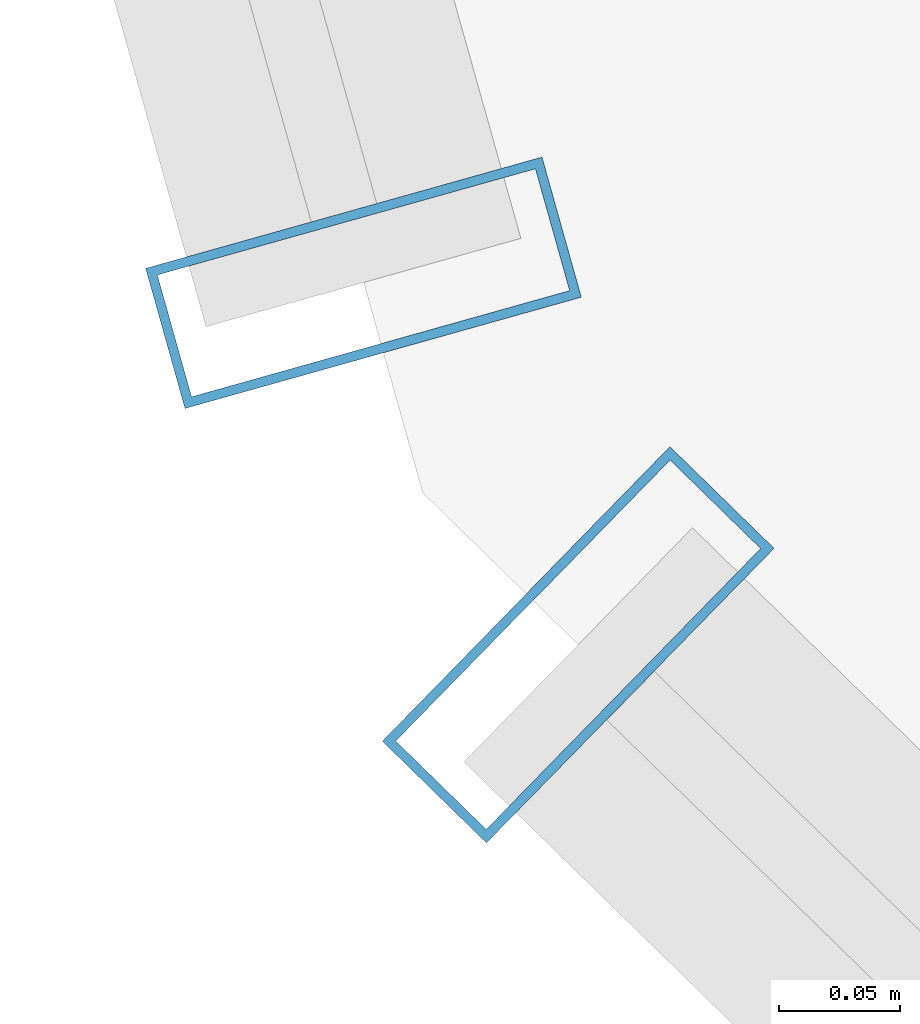
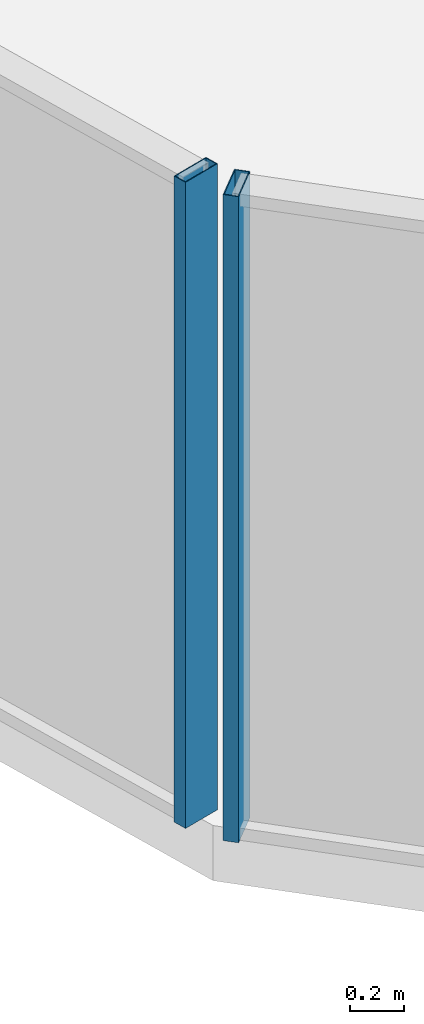
# One storey, part 5 of 39: 2 members, 2 elements without a shape of their own.
"""IFC4 building model written with IfcOpenShell, lengths in metres."""

from ifc_helpers import new_model, si_unit, direction, frame, origin, origin_2d, place, context, subcontext, project, spatial, hollow_rectangle, extrude, source, transform, mapped, material, layer, layer_set, material_profile, profile_set, type_object, element, aggregate, save


model = new_model("IFC4")

# Units and contexts
model_context = context("Model", 3, precision=1e-05, world=origin(), true_north=direction((0.0, 1.0)))
body_context = subcontext(model_context, "Body", "Model", "MODEL_VIEW")
ifc_project = project(units=[si_unit("LENGTHUNIT", "METRE"), si_unit("AREAUNIT", "SQUARE_METRE"), si_unit("VOLUMEUNIT", "CUBIC_METRE"), si_unit("PLANEANGLEUNIT", "RADIAN"), si_unit("MASSUNIT", "GRAM", prefix="KILO")], contexts=[model_context])

# Site, building, storey
site_placement = place(None, origin())
site = spatial("IfcSite", under=ifc_project, at=site_placement, CompositionType="ELEMENT")
building_placement = place(site_placement, origin())
building = spatial("IfcBuilding", under=site, at=building_placement, Name="Veraguas Prism Commons", CompositionType="ELEMENT")
storey_placement = place(building_placement, frame((0.0, 0.0, 77.10009765625)))
storey = spatial("IfcBuildingStorey", under=building, at=storey_placement, Name="L21", CompositionType="ELEMENT", Elevation=77.10009765625)

# Curtain wall, member
ifc_material = material(Name="Anodised aluminium EN AW-6063 T6", Category="aluminium")
ifc_layer = layer(ifc_material, 0.169921875, Name="Unitised Flush Curtain Wall Zone 1", Category="aluminium")
ifc_layer_set = layer_set([ifc_layer], Name="Anodised aluminium EN AW-6063 T6")
curtain_wall_type = type_object("IfcCurtainWallType", Name="Unitised Flush Curtain Wall Zone 1", PredefinedType="NOTDEFINED", material=ifc_layer_set)
curtain_wall_1_placement = place(storey_placement, origin())
curtain_wall_1 = element("IfcCurtainWall", 1, at=curtain_wall_1_placement, inside=storey, type_object=curtain_wall_type, Name="Tower Facade Curtain Wall L21-F4", PredefinedType="NOTDEFINED")
ifc_material_profile = material_profile(ifc_material, hollow_rectangle(XDim=0.06005859375, YDim=0.169921875, WallThickness=0.00390625, at=origin_2d()), Name="AL60X170X4")
ifc_profile_set = profile_set([ifc_material_profile], Name="Anodised aluminium EN AW-6063 T6")
member_type = type_object("IfcMemberType", Name="Curtain Wall Mullion Lower AL 60x170x4", PredefinedType="MULLION", material=ifc_profile_set)
shared_shape = source(origin(), body_context, "Body", "SweptSolid", [
    extrude(hollow_rectangle(XDim=0.06005859375, YDim=0.169921875, WallThickness=0.00390625, at=origin_2d()), origin(), (0.0, 0.0, 1.0), 2.929931640625),
])
member_1_placement = place(storey_placement, frame((2.816162109375, 15.6357421875, 0.0), z_axis=(0.0, 0.0, 1.0), x_axis=(0.715448897181, -0.698665066769, 0.0)))
member_1 = element("IfcMember", 2, at=member_1_placement, type_object=member_type, Name="CW-Z1 Mullion 1", PredefinedType="MULLION", context=body_context, shape_type="MappedRepresentation", body=[
    mapped(shared_shape, transform((0.0, 0.0, 0.0), scale=1.0)),
])
aggregate(curtain_wall_1, [member_1])

curtain_wall_2_placement = place(storey_placement, origin())
curtain_wall_2 = element("IfcCurtainWall", 3, at=curtain_wall_2_placement, inside=storey, type_object=curtain_wall_type, Name="Chamfer Curtain Wall L21-C4", PredefinedType="NOTDEFINED")
member_2_placement = place(storey_placement, frame((2.7275390625, 15.78515625, 0.0), z_axis=(0.0, 0.0, 1.0), x_axis=(0.27027951006, -0.962781899727, 0.0)))
member_2 = element("IfcMember", 4, at=member_2_placement, type_object=member_type, Name="CW-Z1 Mullion 2", PredefinedType="MULLION", context=body_context, shape_type="MappedRepresentation", body=[
    mapped(shared_shape, transform((0.0, 0.0, 0.0), scale=1.0)),
])
aggregate(curtain_wall_2, [member_2])

save(model, "model.ifc")
